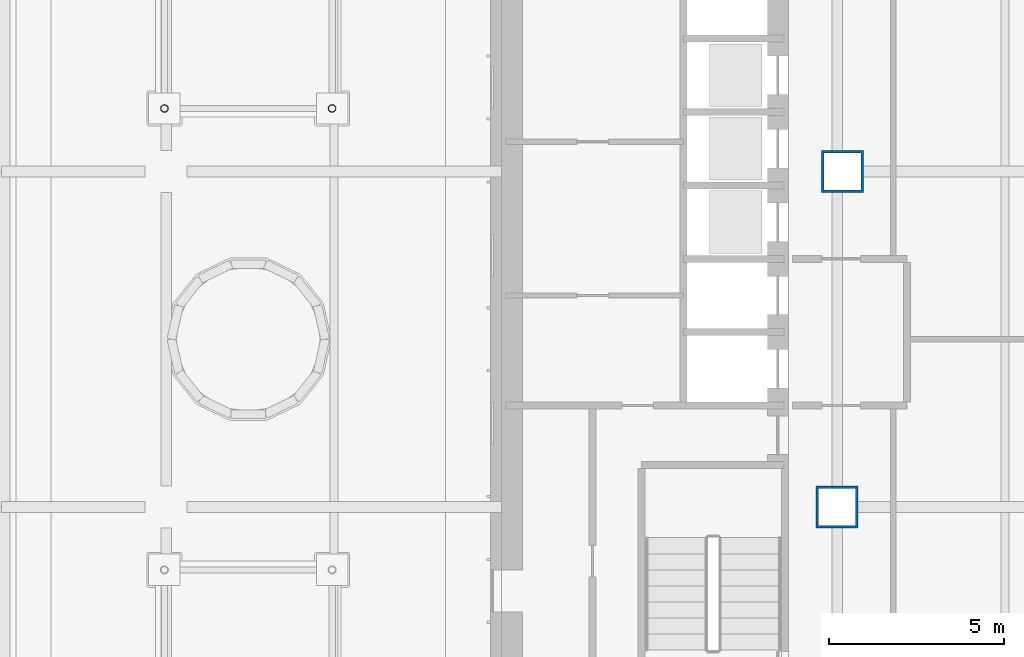
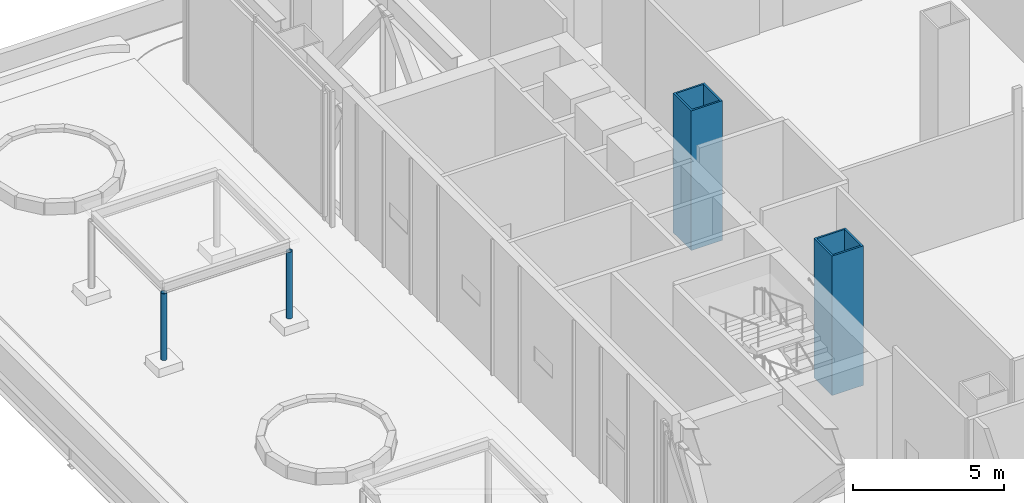
# One storey, part 2 of 39: 4 columns.
"""IFC4 building model written with IfcOpenShell, lengths in metres."""

from ifc_helpers import new_model, si_unit, direction, frame, origin, origin_2d, place, context, subcontext, project, spatial, hollow_rectangle, hollow_circle, extrude, material, material_profile, profile_set, type_object, element, save


model = new_model("IFC4")

# Units and contexts
model_context = context("Model", 3, precision=1e-05, world=origin(), true_north=direction((0.0, 1.0)))
body_context = subcontext(model_context, "Body", "Model", "MODEL_VIEW")
ifc_project = project(units=[si_unit("LENGTHUNIT", "METRE"), si_unit("AREAUNIT", "SQUARE_METRE"), si_unit("VOLUMEUNIT", "CUBIC_METRE"), si_unit("PLANEANGLEUNIT", "RADIAN"), si_unit("MASSUNIT", "GRAM", prefix="KILO")], contexts=[model_context])

# Site, building, storey
site_placement = place(None, origin())
site = spatial("IfcSite", under=ifc_project, at=site_placement, CompositionType="ELEMENT")
building_placement = place(site_placement, origin())
building = spatial("IfcBuilding", under=site, at=building_placement, Name="Cobrizo Arcos Hotel Tower", CompositionType="ELEMENT")
storey_placement = place(building_placement, frame((0.0, 0.0, 33.5)))
storey = spatial("IfcBuildingStorey", under=building, at=storey_placement, Name="L06", CompositionType="ELEMENT", Elevation=33.5)

# Columns
ifc_material_1 = material(Name="Steel ASTM A572 Grade 50", Category="steel")
ifc_material_profile_1 = material_profile(ifc_material_1, hollow_rectangle(XDim=1.199951171875, YDim=1.199951171875, WallThickness=0.070068359375, at=origin_2d()), Name="BOX 1200X1200X70")
ifc_profile_set_1 = profile_set([ifc_material_profile_1], Name="Steel ASTM A572 Grade 50")
column_type_1 = type_object("IfcColumnType", Name="BOX 1200X1200X70 interior column", PredefinedType="COLUMN", material=ifc_profile_set_1)
for number, where, z_axis, x_axis, name in (
    (1, (-14.39990234375, -4.800048828125, -0.300048828125), (0.0, 0.0, 1.0), (1.0, 0.0, 0.0), "Interior column C2, L06, no. 01"),
    (2, (-14.25, 4.800048828125, -0.300048828125), (0.0, 0.0, 1.0), (1.0, 0.0, 0.0), "Interior column C2, L06, no. 02"),
):
    element("IfcColumn", number, at=place(storey_placement, frame(where, z_axis=z_axis, x_axis=x_axis)), inside=storey, type_object=column_type_1, Name=name, PredefinedType="COLUMN", context=body_context, shape_type="SweptSolid", body=[
        extrude(hollow_rectangle(XDim=1.199951171875, YDim=1.199951171875, WallThickness=0.070068359375, at=origin_2d()), origin(), (0.0, 0.0, 1.0), 5.650146484375),
    ])
ifc_material_2 = material(Name="Steel ASTM A500 Grade C", Category="steel")
ifc_material_profile_2 = material_profile(ifc_material_2, hollow_circle(Radius=0.109619140625, WallThickness=0.01171875, at=origin_2d()), Name="HSS8.625X0.500")
ifc_profile_set_2 = profile_set([ifc_material_profile_2], Name="Steel ASTM A500 Grade C")
column_type_2 = type_object("IfcColumnType", Name="HSS8.625X0.500 pavilion column", PredefinedType="COLUMN", material=ifc_profile_set_2)
for number, where, z_axis, x_axis, name in (
    (3, (-33.64990234375, 6.60009765625, 0.449951171875), (0.0, 0.0, 1.0), (1.0, 0.0, 0.0), "Pavilion 2 column 1"),
    (4, (-28.85009765625, 6.60009765625, 0.449951171875), (0.0, 0.0, 1.0), (1.0, 0.0, 0.0), "Pavilion 2 column 2"),
):
    element("IfcColumn", number, at=place(storey_placement, frame(where, z_axis=z_axis, x_axis=x_axis)), inside=storey, type_object=column_type_2, Name=name, PredefinedType="COLUMN", context=body_context, shape_type="SweptSolid", body=[
        extrude(hollow_circle(Radius=0.109619140625, WallThickness=0.01171875, at=origin_2d()), origin(), (0.0, 0.0, 1.0), 2.699951171875),
    ])

save(model, "model.ifc")
